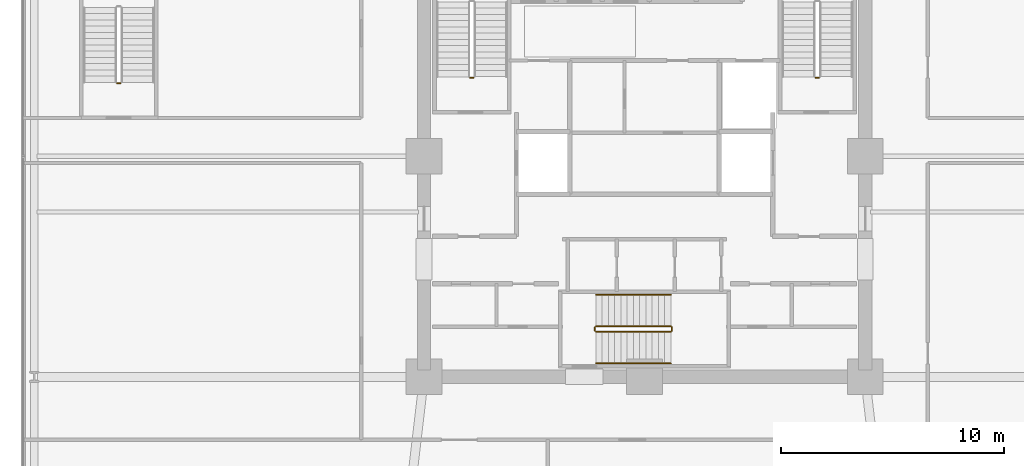
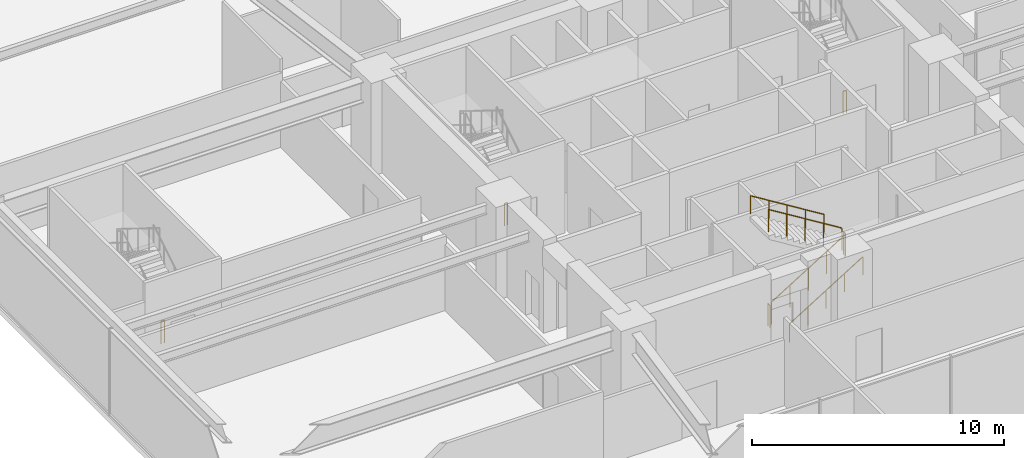
# One storey, part 44 of 47: 9 railings.
"""IFC4 building model written with IfcOpenShell, lengths in metres."""

from ifc_helpers import new_model, si_unit, direction, frame, origin, origin_2d, place, context, subcontext, project, spatial, circle, extrude, material, type_object, element, save


model = new_model("IFC4")

# Units and contexts
model_context = context("Model", 3, precision=1e-05, world=origin(), true_north=direction((0.0, 1.0)))
body_context = subcontext(model_context, "Body", "Model", "MODEL_VIEW")
ifc_project = project(units=[si_unit("LENGTHUNIT", "METRE"), si_unit("AREAUNIT", "SQUARE_METRE"), si_unit("VOLUMEUNIT", "CUBIC_METRE"), si_unit("PLANEANGLEUNIT", "RADIAN"), si_unit("MASSUNIT", "GRAM", prefix="KILO")], contexts=[model_context])

# Site, building, storey
site_placement = place(None, origin())
site = spatial("IfcSite", under=ifc_project, at=site_placement, CompositionType="ELEMENT")
building_placement = place(site_placement, origin())
building = spatial("IfcBuilding", under=site, at=building_placement, Name="Kolvaren Belvedere", CompositionType="ELEMENT")
storey_placement = place(building_placement, frame((0.0, 0.0, 5.5)))
storey = spatial("IfcBuildingStorey", under=building, at=storey_placement, Name="L02", CompositionType="ELEMENT", Elevation=5.5)

# Railings
ifc_material_1 = material(Name="Brushed stainless-steel handrail", Category="steel")
railing_type_1 = type_object("IfcRailingType", Name="RL-HANDRAIL-920", PredefinedType="HANDRAIL", material=ifc_material_1)
railing_1_placement = place(storey_placement, frame((-2.179931640625, -9.300048828125, 0.173095703125)))
element("IfcRailing", 1, at=railing_1_placement, inside=storey, type_object=railing_type_1, Name="L02 ST-3 stair handrail 1", PredefinedType="HANDRAIL", context=body_context, shape_type="SweptSolid", body=[
    extrude(circle(Radius=0.02392578125, at=origin_2d()), frame((0.0, 0.0, 0.8759765625), z_axis=(0.850606129759, 0.0, 0.525803396734), x_axis=(0.0, 1.0, 0.0)), (0.0, 0.0, 1.0), 3.949951171875),
    extrude(circle(Radius=0.02099609375, at=origin_2d()), origin(), (0.0, 0.0, 1.0), 0.851806640625),
    extrude(circle(Radius=0.02099609375, at=origin_2d()), frame((0.83984375, 0.0, 0.519287109375)), (0.0, 0.0, 1.0), 0.851806640625),
    extrude(circle(Radius=0.02099609375, at=origin_2d()), frame((1.679931640625, 0.0, 1.03857421875)), (0.0, 0.0, 1.0), 0.851806640625),
    extrude(circle(Radius=0.02099609375, at=origin_2d()), frame((2.52001953125, 0.0, 1.5576171875)), (0.0, 0.0, 1.0), 0.851806640625),
    extrude(circle(Radius=0.02099609375, at=origin_2d()), frame((3.35986328125, 0.0, 2.076904296875)), (0.0, 0.0, 1.0), 0.851806640625),
])
railing_2_placement = place(storey_placement, frame((1.179931640625, -6.2099609375, 2.423095703125)))
element("IfcRailing", 2, at=railing_2_placement, inside=storey, type_object=railing_type_1, Name="L02 ST-3 stair handrail 2", PredefinedType="HANDRAIL", context=body_context, shape_type="SweptSolid", body=[
    extrude(circle(Radius=0.02392578125, at=origin_2d()), frame((0.0, 0.0, 0.8759765625), z_axis=(-0.850606129759, 0.0, 0.525803396734), x_axis=(0.0, -1.0, 0.0)), (0.0, 0.0, 1.0), 3.949951171875),
    extrude(circle(Radius=0.02099609375, at=origin_2d()), origin(), (0.0, 0.0, 1.0), 0.851806640625),
    extrude(circle(Radius=0.02099609375, at=origin_2d()), frame((-0.83984375, 0.0, 0.519287109375)), (0.0, 0.0, 1.0), 0.851806640625),
    extrude(circle(Radius=0.02099609375, at=origin_2d()), frame((-1.679931640625, 0.0, 1.03857421875)), (0.0, 0.0, 1.0), 0.851806640625),
    extrude(circle(Radius=0.02099609375, at=origin_2d()), frame((-2.52001953125, 0.0, 1.5576171875)), (0.0, 0.0, 1.0), 0.851806640625),
    extrude(circle(Radius=0.02099609375, at=origin_2d()), frame((-3.35986328125, 0.0, 2.076904296875)), (0.0, 0.0, 1.0), 0.851806640625),
])
ifc_material_2 = material(Name="Painted tubular steel stair guard", Category="steel")
railing_type_2 = type_object("IfcRailingType", Name="RL-STGUARD-1100", PredefinedType="GUARDRAIL", material=ifc_material_2)
for number, where, name in (
    (3, (-7.679931640625, 3.52001953125, 0.0), "L02 ST-1 stair guard 4"),
    (4, (7.830078125, 3.52001953125, 0.0), "L02 ST-2 stair guard 4"),
):
    element("IfcRailing", number, at=place(storey_placement, frame(where)), inside=storey, type_object=railing_type_2, Name=name, PredefinedType="GUARDRAIL", context=body_context, shape_type="SweptSolid", body=[
        extrude(circle(Radius=0.02392578125, at=origin_2d()), frame((0.0, 0.0, 1.076171875), z_axis=(-1.0, 0.0, 0.0), x_axis=(0.0, -1.0, 0.0)), (0.0, 0.0, 1.0), 0.150146484375),
        extrude(circle(Radius=0.02099609375, at=origin_2d()), origin(), (0.0, 0.0, 1.0), 1.052001953125),
        extrude(circle(Radius=0.02099609375, at=origin_2d()), frame((-0.150146484375, 0.0, 0.0)), (0.0, 0.0, 1.0), 1.052001953125),
    ])
railing_3_placement = place(storey_placement, frame((-2.179931640625, -7.8798828125, 0.173095703125)))
element("IfcRailing", 5, at=railing_3_placement, inside=storey, type_object=railing_type_2, Name="L02 ST-3 stair guard 1", PredefinedType="GUARDRAIL", context=body_context, shape_type="SweptSolid", body=[
    extrude(circle(Radius=0.02392578125, at=origin_2d()), frame((0.0, 0.0, 1.076171875), z_axis=(0.850606129759, 0.0, 0.525803396734), x_axis=(0.0, 1.0, 0.0)), (0.0, 0.0, 1.0), 3.949951171875),
    extrude(circle(Radius=0.02099609375, at=origin_2d()), origin(), (0.0, 0.0, 1.0), 1.052001953125),
    extrude(circle(Radius=0.02099609375, at=origin_2d()), frame((0.83984375, 0.0, 0.519287109375)), (0.0, 0.0, 1.0), 1.052001953125),
    extrude(circle(Radius=0.02099609375, at=origin_2d()), frame((1.679931640625, 0.0, 1.03857421875)), (0.0, 0.0, 1.0), 1.052001953125),
    extrude(circle(Radius=0.02099609375, at=origin_2d()), frame((2.52001953125, 0.0, 1.5576171875)), (0.0, 0.0, 1.0), 1.052001953125),
    extrude(circle(Radius=0.02099609375, at=origin_2d()), frame((3.35986328125, 0.0, 2.076904296875)), (0.0, 0.0, 1.0), 1.052001953125),
])
railing_4_placement = place(storey_placement, frame((1.22998046875, -7.830078125, 2.25)))
element("IfcRailing", 6, at=railing_4_placement, inside=storey, type_object=railing_type_2, Name="L02 ST-3 stair guard 2", PredefinedType="GUARDRAIL", context=body_context, shape_type="SweptSolid", body=[
    extrude(circle(Radius=0.02392578125, at=origin_2d()), frame((0.0, 0.0, 1.076171875), z_axis=(0.0, 1.0, 0.0), x_axis=(-1.0, 0.0, 0.0)), (0.0, 0.0, 1.0), 0.150146484375),
    extrude(circle(Radius=0.02099609375, at=origin_2d()), origin(), (0.0, 0.0, 1.0), 1.052001953125),
    extrude(circle(Radius=0.02099609375, at=origin_2d()), frame((0.0, 0.150146484375, 0.0)), (0.0, 0.0, 1.0), 1.052001953125),
])
railing_5_placement = place(storey_placement, frame((1.179931640625, -7.6298828125, 2.423095703125)))
element("IfcRailing", 7, at=railing_5_placement, inside=storey, type_object=railing_type_2, Name="L02 ST-3 stair guard 3", PredefinedType="GUARDRAIL", context=body_context, shape_type="SweptSolid", body=[
    extrude(circle(Radius=0.02392578125, at=origin_2d()), frame((0.0, 0.0, 1.076171875), z_axis=(-0.850606129759, 0.0, 0.525803396734), x_axis=(0.0, -1.0, 0.0)), (0.0, 0.0, 1.0), 3.949951171875),
    extrude(circle(Radius=0.02099609375, at=origin_2d()), origin(), (0.0, 0.0, 1.0), 1.052001953125),
    extrude(circle(Radius=0.02099609375, at=origin_2d()), frame((-0.83984375, 0.0, 0.519287109375)), (0.0, 0.0, 1.0), 1.052001953125),
    extrude(circle(Radius=0.02099609375, at=origin_2d()), frame((-1.679931640625, 0.0, 1.03857421875)), (0.0, 0.0, 1.0), 1.052001953125),
    extrude(circle(Radius=0.02099609375, at=origin_2d()), frame((-2.52001953125, 0.0, 1.5576171875)), (0.0, 0.0, 1.0), 1.052001953125),
    extrude(circle(Radius=0.02099609375, at=origin_2d()), frame((-3.35986328125, 0.0, 2.076904296875)), (0.0, 0.0, 1.0), 1.052001953125),
])
railing_6_placement = place(storey_placement, frame((-2.22998046875, -7.830078125, 0.0)))
element("IfcRailing", 8, at=railing_6_placement, inside=storey, type_object=railing_type_2, Name="L02 ST-3 stair guard 4", PredefinedType="GUARDRAIL", context=body_context, shape_type="SweptSolid", body=[
    extrude(circle(Radius=0.02392578125, at=origin_2d()), frame((0.0, 0.0, 1.076171875), z_axis=(0.0, 1.0, 0.0), x_axis=(-1.0, 0.0, 0.0)), (0.0, 0.0, 1.0), 0.150146484375),
    extrude(circle(Radius=0.02099609375, at=origin_2d()), origin(), (0.0, 0.0, 1.0), 1.052001953125),
    extrude(circle(Radius=0.02099609375, at=origin_2d()), frame((0.0, 0.150146484375, 0.0)), (0.0, 0.0, 1.0), 1.052001953125),
])
railing_7_placement = place(storey_placement, frame((-23.530029296875, 3.27001953125, 0.0)))
element("IfcRailing", 9, at=railing_7_placement, inside=storey, type_object=railing_type_2, Name="L02 ST-P1 stair guard 4", PredefinedType="GUARDRAIL", context=body_context, shape_type="SweptSolid", body=[
    extrude(circle(Radius=0.02392578125, at=origin_2d()), frame((0.0, 0.0, 1.076171875), z_axis=(-1.0, 0.0, 0.0), x_axis=(0.0, -1.0, 0.0)), (0.0, 0.0, 1.0), 0.14990234375),
    extrude(circle(Radius=0.02099609375, at=origin_2d()), origin(), (0.0, 0.0, 1.0), 1.052001953125),
    extrude(circle(Radius=0.02099609375, at=origin_2d()), frame((-0.14990234375, 0.0, 0.0)), (0.0, 0.0, 1.0), 1.052001953125),
])

save(model, "model.ifc")
